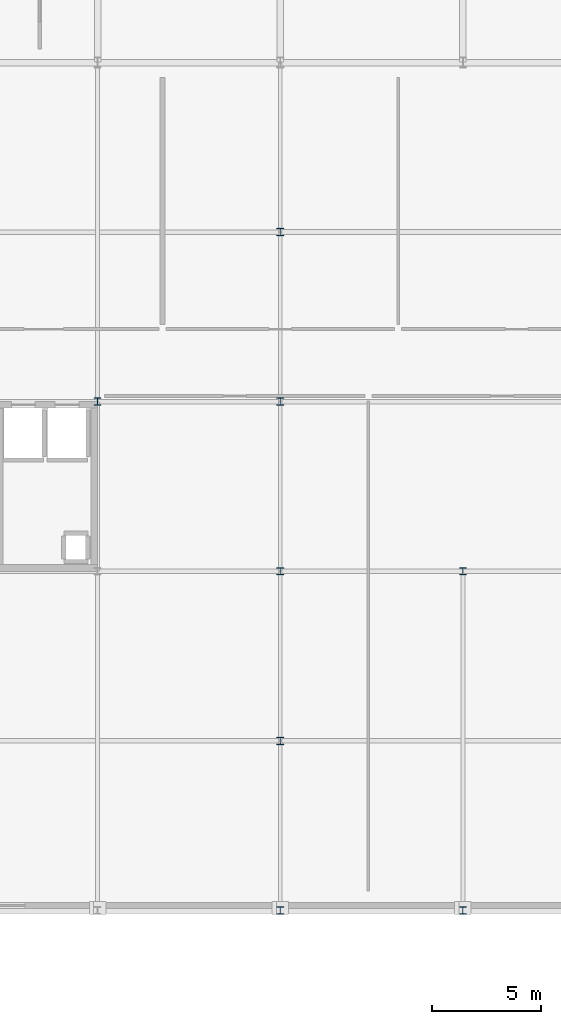
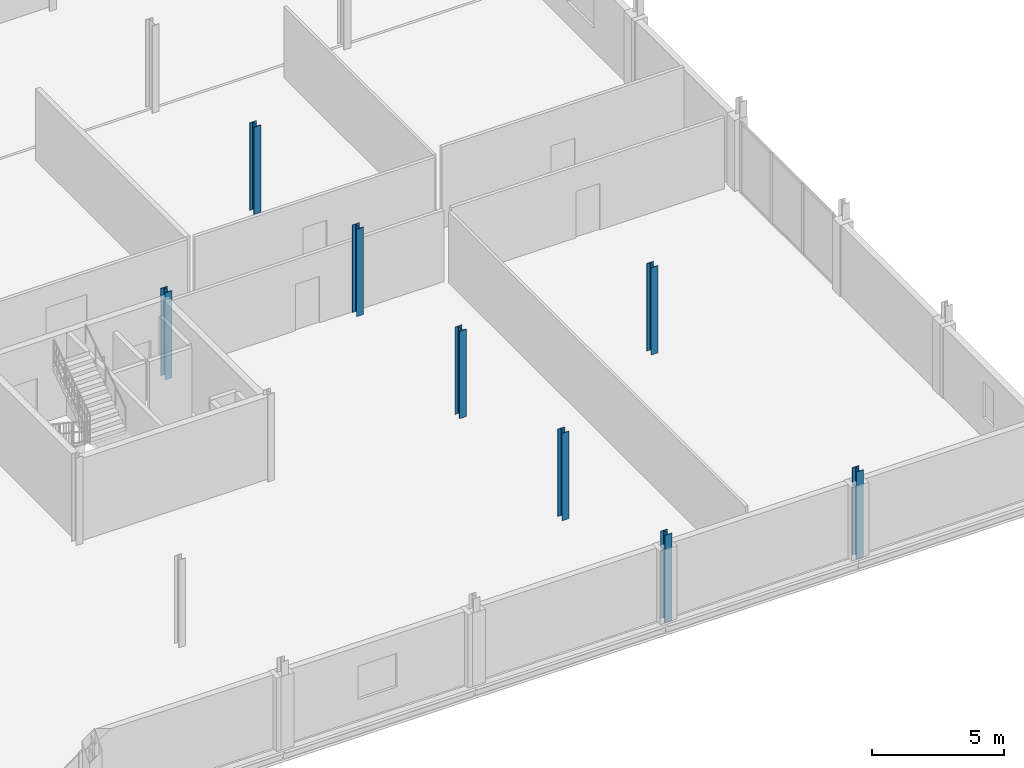
# One storey, part 9 of 77: 8 columns.
"""IFC4 building model written with IfcOpenShell, lengths in metres."""

import ifcopenshell
import ifcopenshell.guid

model = None  # the IFC model being written
_history = None  # IfcOwnerHistory: only IFC2X3 demands one
_inside = {}  # id of a spatial element -> (the spatial element, [elements in it])
_under = {}  # id of a project, library or spatial element -> (it, [spatial elements below it])
_declared = {}  # id of a project -> (the project, [libraries it declares])
_typed = {}  # id of a type object -> (the type object, [elements of that type])
_made_of = {}  # id of a material, layer set ... -> (it, [elements and type objects made of it])


def new_model(schema):
    """Start an empty IFC model of exactly this schema.

    Asked for "IFC4X3", IfcOpenShell would pick the latest addendum, in which some entities
    have other attributes; the version numbers below select the first issue.
    IFC2X3 requires an IfcOwnerHistory on every rooted entity: one is made here for all.
    """
    global model, _history
    if schema == "IFC4X3":
        model = ifcopenshell.file(schema_version=(4, 3, 0, 0))
    else:
        model = ifcopenshell.file(schema=schema)
    _inside.clear()
    _under.clear()
    _declared.clear()
    _typed.clear()
    _made_of.clear()
    _history = None
    if model.schema == "IFC2X3":
        org = make("IfcOrganization", Name="unknown")
        user = make(
            "IfcPersonAndOrganization",
            ThePerson=make("IfcPerson", FamilyName="unknown"),
            TheOrganization=org,
        )
        app = make(
            "IfcApplication",
            ApplicationDeveloper=org,
            Version="unknown",
            ApplicationFullName="unknown",
            ApplicationIdentifier="unknown",
        )
        _history = make(
            "IfcOwnerHistory",
            OwningUser=user,
            OwningApplication=app,
            ChangeAction="ADDED",
            CreationDate=0,
        )
    return model


def make(cls, **values):
    """One entity of the class cls with the attributes given. An attribute that is None is left unset."""
    return model.create_entity(
        cls, **{name: value for name, value in values.items() if value is not None}
    )


def rooted(cls, **values):
    """An entity with a GlobalId (a new one), such as an element, a storey or a relation."""
    return make(cls, GlobalId=ifcopenshell.guid.new(), OwnerHistory=_history, **values)


def si_unit(unit_type, name, prefix=None):
    """IfcSIUnit, for example si_unit("LENGTHUNIT", "METRE", prefix="MILLI")."""
    return make("IfcSIUnit", UnitType=unit_type, Prefix=prefix, Name=name)


def assignment(units):
    """IfcUnitAssignment: the units of a project."""
    return None if units is None else make("IfcUnitAssignment", Units=units)


def point(xyz):
    """IfcCartesianPoint."""
    return None if xyz is None else make("IfcCartesianPoint", Coordinates=xyz)


def direction(xyz):
    """IfcDirection."""
    return None if xyz is None else make("IfcDirection", DirectionRatios=xyz)


def frame(location, z_axis=None, x_axis=None):
    """IfcAxis2Placement3D, a coordinate frame: its origin and axes. An axis left out is left unset."""
    return make(
        "IfcAxis2Placement3D",
        Location=point(location),
        Axis=direction(z_axis),
        RefDirection=direction(x_axis),
    )


def frame_2d(location, x_axis=None):
    """IfcAxis2Placement2D, a coordinate frame in the plane: its origin and x axis."""
    return make(
        "IfcAxis2Placement2D", Location=point(location), RefDirection=direction(x_axis)
    )


def origin():
    """The frame at (0, 0, 0) with its axes left unset."""
    return frame((0.0, 0.0, 0.0))


def origin_2d():
    """The frame at (0, 0) in the plane with its x axis left unset."""
    return frame_2d((0.0, 0.0))


def place(relative_to, where):
    """IfcLocalPlacement: puts the frame where relative to a parent placement (None: the world)."""
    return make(
        "IfcLocalPlacement", PlacementRelTo=relative_to, RelativePlacement=where
    )


def context(
    kind, dimensions, precision=None, world=None, true_north=None, identifier=None
):
    """IfcGeometricRepresentationContext, for example the 3D "Model" context."""
    return make(
        "IfcGeometricRepresentationContext",
        ContextIdentifier=identifier,
        ContextType=kind,
        CoordinateSpaceDimension=dimensions,
        Precision=precision,
        WorldCoordinateSystem=world,
        TrueNorth=true_north,
    )


def subcontext(parent, identifier, kind, view, scale=None):
    """IfcGeometricRepresentationSubContext, for example "Body" below "Model"."""
    return make(
        "IfcGeometricRepresentationSubContext",
        ContextIdentifier=identifier,
        ContextType=kind,
        ParentContext=parent,
        TargetScale=scale,
        TargetView=view,
    )


def project(units=None, contexts=None):
    """IfcProject with its units and contexts."""
    return rooted(
        "IfcProject",
        Name="project",
        RepresentationContexts=contexts,
        UnitsInContext=assignment(units),
    )


def spatial(cls, under=None, at=None, **own):
    """A site, building, storey or space (cls), placed at a placement, below another one or the project."""
    s = rooted(cls, ObjectPlacement=at, **own)
    if under is not None:
        _under.setdefault(under.id(), (under, []))[1].append(s)
    return s


def profile(cls, at=None, kind="AREA", **sizes):
    """A parametric profile (cls). Its sizes go by their IFC names, for example OverallWidth=200.0."""
    return make(cls, ProfileType=kind, Position=at, **sizes)


def i_section(**sizes):
    """IfcIShapeProfileDef."""
    return profile("IfcIShapeProfileDef", **sizes)


def extrude(swept, where, along, depth):
    """IfcExtrudedAreaSolid: the profile swept, set in the frame where, extruded along a direction by depth."""
    return make(
        "IfcExtrudedAreaSolid",
        SweptArea=swept,
        Position=where,
        ExtrudedDirection=direction(along),
        Depth=depth,
    )


def shape(context_of_items, identifier, shape_type, items):
    """IfcShapeRepresentation: the items that make up one representation, for example the "Body"."""
    return make(
        "IfcShapeRepresentation",
        ContextOfItems=context_of_items,
        RepresentationIdentifier=identifier,
        RepresentationType=shape_type,
        Items=items,
    )


def material(Name=None, Category=None):
    """IfcMaterial."""
    return make("IfcMaterial", Name=Name, Category=Category)


def material_profile(
    of_material, cross_section, Name=None, Category=None, Priority=None
):
    """IfcMaterialProfile: a cross section and its material."""
    return make(
        "IfcMaterialProfile",
        Name=Name,
        Material=of_material,
        Profile=cross_section,
        Priority=Priority,
        Category=Category,
    )


def profile_set(profiles, Name=None, composite=None):
    """IfcMaterialProfileSet."""
    return make(
        "IfcMaterialProfileSet",
        Name=Name,
        MaterialProfiles=profiles,
        CompositeProfile=composite,
    )


def made_of(thing, what):
    """Note that an element or type object is made of a material, layer set ...; save() writes the relation."""
    if what is not None:
        _made_of.setdefault(what.id(), (what, []))[1].append(thing)
    return thing


def type_object(cls, material=None, **own):
    """A type object (cls), such as IfcWallType, which elements share."""
    return made_of(rooted(cls, **own), material)


def element(
    cls,
    number,
    at=None,
    inside=None,
    cuts=None,
    type_object=None,
    material=None,
    context=None,
    identifier="Body",
    shape_type=None,
    held_by="IfcProductDefinitionShape",
    body=None,
    shapes=None,
    **own,
):
    """One element of the class cls, such as IfcWall. Its Tag is "e" and its number.

    at: its placement. inside: the storey or other place that contains it. cuts: it is an
    opening in that element (IfcRelVoidsElement). A single representation is given by context,
    identifier, shape_type and body (its items); several are given by shapes. held_by: the class
    of the entity that holds the representations. save() writes the other relations.
    """
    e = rooted(cls, Tag="e%d" % number, ObjectPlacement=at, **own)
    if body is not None:
        shapes = [shape(context, identifier, shape_type, body)]
    if shapes is not None:
        e.Representation = make(held_by, Representations=shapes)
    if inside is not None:
        _inside.setdefault(inside.id(), (inside, []))[1].append(e)
    if cuts is not None:
        rooted(
            "IfcRelVoidsElement", RelatingBuildingElement=cuts, RelatedOpeningElement=e
        )
    if type_object is not None:
        _typed.setdefault(type_object.id(), (type_object, []))[1].append(e)
    return made_of(e, material)


def aggregate(whole, parts):
    """IfcRelAggregates: a whole, such as a stair, and the parts it consists of."""
    return rooted("IfcRelAggregates", RelatingObject=whole, RelatedObjects=parts)


def save(model, path):
    """Write the relations noted so far, then the file.

    IfcRelAggregates (storeys below a building ...), IfcRelContainedInSpatialStructure (elements
    in a storey), IfcRelDefinesByType, IfcRelAssociatesMaterial and IfcRelDeclares: one each for
    every whole, place, type object, material and project.
    """
    for whole, parts in _under.values():
        aggregate(whole, parts)
    for where, things in _inside.values():
        rooted(
            "IfcRelContainedInSpatialStructure",
            RelatedElements=things,
            RelatingStructure=where,
        )
    for kind, things in _typed.values():
        rooted("IfcRelDefinesByType", RelatedObjects=things, RelatingType=kind)
    for what, things in _made_of.values():
        rooted("IfcRelAssociatesMaterial", RelatedObjects=things, RelatingMaterial=what)
    for by, libraries in _declared.values():
        rooted("IfcRelDeclares", RelatingContext=by, RelatedDefinitions=libraries)
    model.write(path)


model = new_model("IFC4")

# Units and contexts
model_context = context("Model", 3, precision=1e-05, world=origin(), true_north=direction((0.0, 1.0)))
body_context = subcontext(model_context, "Body", "Model", "MODEL_VIEW")
ifc_project = project(units=[si_unit("LENGTHUNIT", "METRE"), si_unit("AREAUNIT", "SQUARE_METRE"), si_unit("VOLUMEUNIT", "CUBIC_METRE"), si_unit("PLANEANGLEUNIT", "RADIAN"), si_unit("MASSUNIT", "GRAM", prefix="KILO")], contexts=[model_context])

# Site, building, storey
site_placement = place(None, origin())
site = spatial("IfcSite", under=ifc_project, at=site_placement, CompositionType="ELEMENT")
building_placement = place(site_placement, origin())
building = spatial("IfcBuilding", under=site, at=building_placement, Name="Nabrawat Pavilion Hospital", CompositionType="ELEMENT")
storey_placement = place(building_placement, frame((0.0, 0.0, 14.85009765625)))
storey = spatial("IfcBuildingStorey", under=building, at=storey_placement, Name="L03", CompositionType="ELEMENT", Elevation=14.85009765625)

# Columns
ifc_material = material(Name="Steel S355", Category="steel")
ifc_material_profile = material_profile(ifc_material, i_section(OverallWidth=0.300048828125, OverallDepth=0.340087890625, WebThickness=0.011962890625, FlangeThickness=0.021484375, FilletRadius=0.027099609375, at=origin_2d()), Name="HEB 340")
ifc_profile_set = profile_set([ifc_material_profile], Name="Steel S355")
column_type = type_object("IfcColumnType", Name="Upper Clinic Steel Column HEB 340", PredefinedType="COLUMN", material=ifc_profile_set)
for number, where, z_axis, x_axis, name in (
    (1, (168.0, 23.39990234375, 0.0), (0.0, 0.0, 1.0), (1.0, 0.0, 0.0), "L03 Structural Column G-21-D"),
    (2, (176.39990234375, 0.0, 0.0), (0.0, 0.0, 1.0), (1.0, 0.0, 0.0), "L03 Structural Column G-22-A"),
    (3, (176.39990234375, 7.800048828125, 0.0), (0.0, 0.0, 1.0), (1.0, 0.0, 0.0), "L03 Structural Column G-22-B"),
    (4, (176.39990234375, 15.60009765625, 0.0), (0.0, 0.0, 1.0), (1.0, 0.0, 0.0), "L03 Structural Column G-22-C"),
    (5, (176.39990234375, 23.39990234375, 0.0), (0.0, 0.0, 1.0), (1.0, 0.0, 0.0), "L03 Structural Column G-22-D"),
    (6, (176.39990234375, 31.199951171875, 0.0), (0.0, 0.0, 1.0), (1.0, 0.0, 0.0), "L03 Structural Column G-22-E"),
    (7, (184.800048828125, 0.0, 0.0), (0.0, 0.0, 1.0), (1.0, 0.0, 0.0), "L03 Structural Column G-23-A"),
    (8, (184.800048828125, 15.60009765625, 0.0), (0.0, 0.0, 1.0), (1.0, 0.0, 0.0), "L03 Structural Column G-23-C"),
):
    element("IfcColumn", number, at=place(storey_placement, frame(where, z_axis=z_axis, x_axis=x_axis)), inside=storey, type_object=column_type, Name=name, PredefinedType="COLUMN", context=body_context, shape_type="SweptSolid", body=[
        extrude(i_section(OverallWidth=0.300048828125, OverallDepth=0.340087890625, WebThickness=0.011962890625, FlangeThickness=0.021484375, FilletRadius=0.027099609375, at=origin_2d()), origin(), (0.0, 0.0, 1.0), 4.0498046875),
    ])

save(model, "model.ifc")
